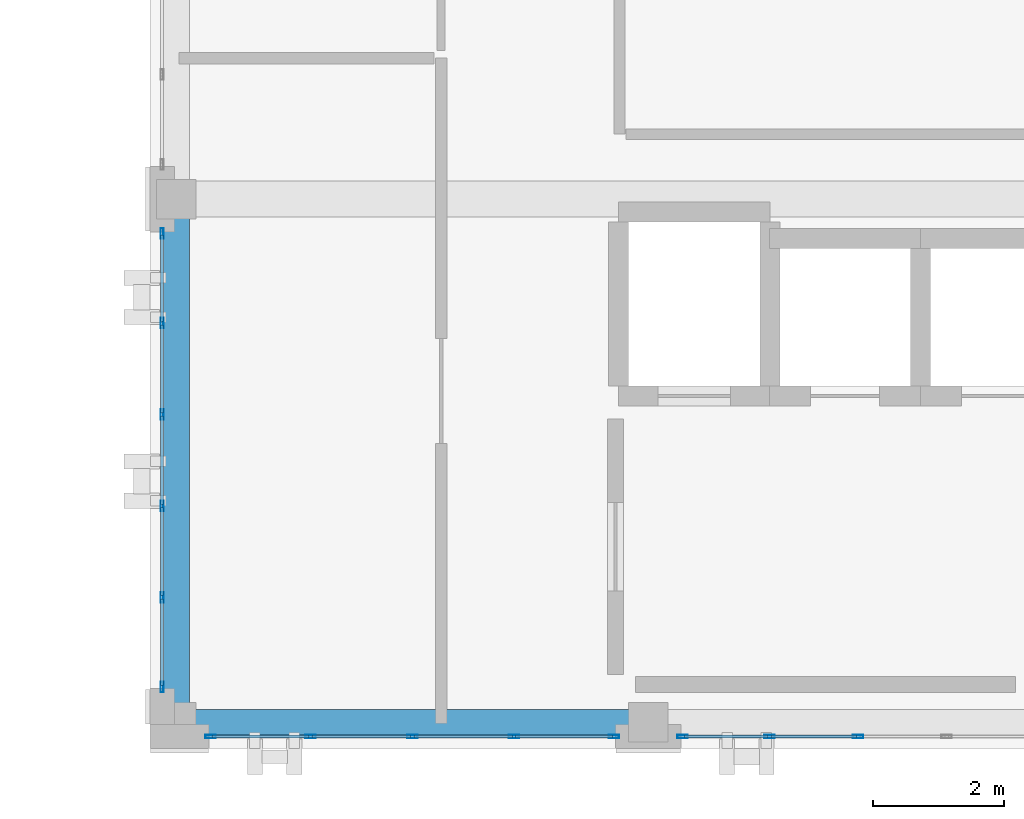
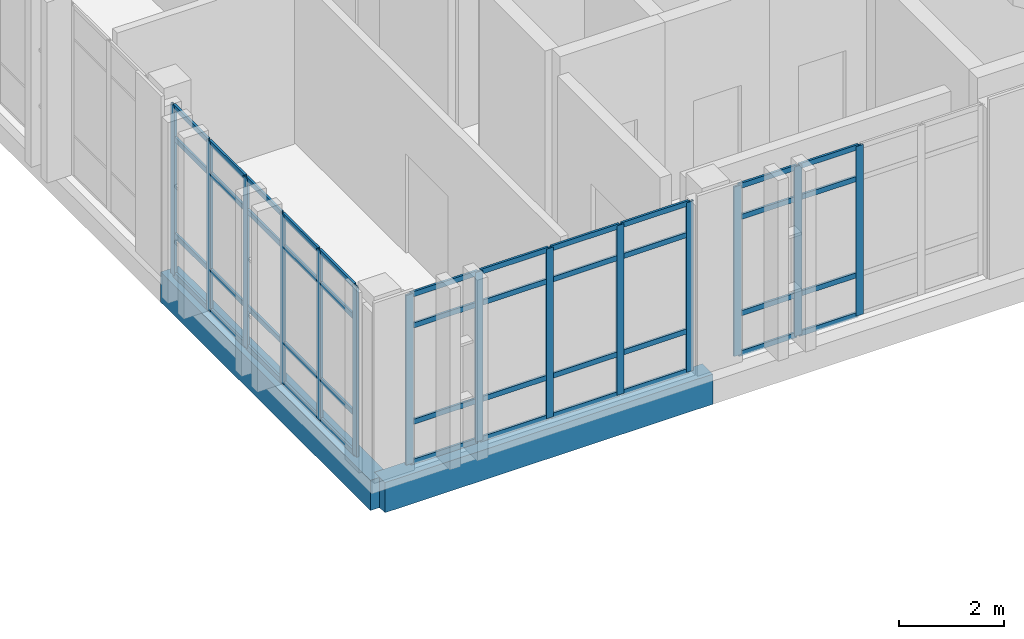
# One storey, part 27 of 77: 58 members, 2 beams, 3 elements without a shape of their own.
"""IFC4 building model written with IfcOpenShell, lengths in metres."""

import ifcopenshell
import ifcopenshell.guid

model = None  # the IFC model being written
_history = None  # IfcOwnerHistory: only IFC2X3 demands one
_inside = {}  # id of a spatial element -> (the spatial element, [elements in it])
_under = {}  # id of a project, library or spatial element -> (it, [spatial elements below it])
_declared = {}  # id of a project -> (the project, [libraries it declares])
_typed = {}  # id of a type object -> (the type object, [elements of that type])
_made_of = {}  # id of a material, layer set ... -> (it, [elements and type objects made of it])


def new_model(schema):
    """Start an empty IFC model of exactly this schema.

    Asked for "IFC4X3", IfcOpenShell would pick the latest addendum, in which some entities
    have other attributes; the version numbers below select the first issue.
    IFC2X3 requires an IfcOwnerHistory on every rooted entity: one is made here for all.
    """
    global model, _history
    if schema == "IFC4X3":
        model = ifcopenshell.file(schema_version=(4, 3, 0, 0))
    else:
        model = ifcopenshell.file(schema=schema)
    _inside.clear()
    _under.clear()
    _declared.clear()
    _typed.clear()
    _made_of.clear()
    _history = None
    if model.schema == "IFC2X3":
        org = make("IfcOrganization", Name="unknown")
        user = make(
            "IfcPersonAndOrganization",
            ThePerson=make("IfcPerson", FamilyName="unknown"),
            TheOrganization=org,
        )
        app = make(
            "IfcApplication",
            ApplicationDeveloper=org,
            Version="unknown",
            ApplicationFullName="unknown",
            ApplicationIdentifier="unknown",
        )
        _history = make(
            "IfcOwnerHistory",
            OwningUser=user,
            OwningApplication=app,
            ChangeAction="ADDED",
            CreationDate=0,
        )
    return model


def make(cls, **values):
    """One entity of the class cls with the attributes given. An attribute that is None is left unset."""
    return model.create_entity(
        cls, **{name: value for name, value in values.items() if value is not None}
    )


def rooted(cls, **values):
    """An entity with a GlobalId (a new one), such as an element, a storey or a relation."""
    return make(cls, GlobalId=ifcopenshell.guid.new(), OwnerHistory=_history, **values)


def si_unit(unit_type, name, prefix=None):
    """IfcSIUnit, for example si_unit("LENGTHUNIT", "METRE", prefix="MILLI")."""
    return make("IfcSIUnit", UnitType=unit_type, Prefix=prefix, Name=name)


def assignment(units):
    """IfcUnitAssignment: the units of a project."""
    return None if units is None else make("IfcUnitAssignment", Units=units)


def point(xyz):
    """IfcCartesianPoint."""
    return None if xyz is None else make("IfcCartesianPoint", Coordinates=xyz)


def direction(xyz):
    """IfcDirection."""
    return None if xyz is None else make("IfcDirection", DirectionRatios=xyz)


def frame(location, z_axis=None, x_axis=None):
    """IfcAxis2Placement3D, a coordinate frame: its origin and axes. An axis left out is left unset."""
    return make(
        "IfcAxis2Placement3D",
        Location=point(location),
        Axis=direction(z_axis),
        RefDirection=direction(x_axis),
    )


def frame_2d(location, x_axis=None):
    """IfcAxis2Placement2D, a coordinate frame in the plane: its origin and x axis."""
    return make(
        "IfcAxis2Placement2D", Location=point(location), RefDirection=direction(x_axis)
    )


def origin():
    """The frame at (0, 0, 0) with its axes left unset."""
    return frame((0.0, 0.0, 0.0))


def origin_2d():
    """The frame at (0, 0) in the plane with its x axis left unset."""
    return frame_2d((0.0, 0.0))


def place(relative_to, where):
    """IfcLocalPlacement: puts the frame where relative to a parent placement (None: the world)."""
    return make(
        "IfcLocalPlacement", PlacementRelTo=relative_to, RelativePlacement=where
    )


def context(
    kind, dimensions, precision=None, world=None, true_north=None, identifier=None
):
    """IfcGeometricRepresentationContext, for example the 3D "Model" context."""
    return make(
        "IfcGeometricRepresentationContext",
        ContextIdentifier=identifier,
        ContextType=kind,
        CoordinateSpaceDimension=dimensions,
        Precision=precision,
        WorldCoordinateSystem=world,
        TrueNorth=true_north,
    )


def subcontext(parent, identifier, kind, view, scale=None):
    """IfcGeometricRepresentationSubContext, for example "Body" below "Model"."""
    return make(
        "IfcGeometricRepresentationSubContext",
        ContextIdentifier=identifier,
        ContextType=kind,
        ParentContext=parent,
        TargetScale=scale,
        TargetView=view,
    )


def project(units=None, contexts=None):
    """IfcProject with its units and contexts."""
    return rooted(
        "IfcProject",
        Name="project",
        RepresentationContexts=contexts,
        UnitsInContext=assignment(units),
    )


def spatial(cls, under=None, at=None, **own):
    """A site, building, storey or space (cls), placed at a placement, below another one or the project."""
    s = rooted(cls, ObjectPlacement=at, **own)
    if under is not None:
        _under.setdefault(under.id(), (under, []))[1].append(s)
    return s


def profile(cls, at=None, kind="AREA", **sizes):
    """A parametric profile (cls). Its sizes go by their IFC names, for example OverallWidth=200.0."""
    return make(cls, ProfileType=kind, Position=at, **sizes)


def rectangle(**sizes):
    """IfcRectangleProfileDef."""
    return profile("IfcRectangleProfileDef", **sizes)


def hollow_rectangle(**sizes):
    """IfcRectangleHollowProfileDef."""
    return profile("IfcRectangleHollowProfileDef", **sizes)


def extrude(swept, where, along, depth):
    """IfcExtrudedAreaSolid: the profile swept, set in the frame where, extruded along a direction by depth."""
    return make(
        "IfcExtrudedAreaSolid",
        SweptArea=swept,
        Position=where,
        ExtrudedDirection=direction(along),
        Depth=depth,
    )


def shape(context_of_items, identifier, shape_type, items):
    """IfcShapeRepresentation: the items that make up one representation, for example the "Body"."""
    return make(
        "IfcShapeRepresentation",
        ContextOfItems=context_of_items,
        RepresentationIdentifier=identifier,
        RepresentationType=shape_type,
        Items=items,
    )


def material(Name=None, Category=None):
    """IfcMaterial."""
    return make("IfcMaterial", Name=Name, Category=Category)


def layer(
    of_material, thickness, ventilated=None, Name=None, Category=None, Priority=None
):
    """IfcMaterialLayer: one layer of a wall or slab, of a material (None: an air gap)."""
    return make(
        "IfcMaterialLayer",
        Material=of_material,
        LayerThickness=thickness,
        IsVentilated=ventilated,
        Name=Name,
        Category=Category,
        Priority=Priority,
    )


def layer_set(layers, Name=None):
    """IfcMaterialLayerSet."""
    return make("IfcMaterialLayerSet", MaterialLayers=layers, LayerSetName=Name)


def material_profile(
    of_material, cross_section, Name=None, Category=None, Priority=None
):
    """IfcMaterialProfile: a cross section and its material."""
    return make(
        "IfcMaterialProfile",
        Name=Name,
        Material=of_material,
        Profile=cross_section,
        Priority=Priority,
        Category=Category,
    )


def profile_set(profiles, Name=None, composite=None):
    """IfcMaterialProfileSet."""
    return make(
        "IfcMaterialProfileSet",
        Name=Name,
        MaterialProfiles=profiles,
        CompositeProfile=composite,
    )


def made_of(thing, what):
    """Note that an element or type object is made of a material, layer set ...; save() writes the relation."""
    if what is not None:
        _made_of.setdefault(what.id(), (what, []))[1].append(thing)
    return thing


def type_object(cls, material=None, **own):
    """A type object (cls), such as IfcWallType, which elements share."""
    return made_of(rooted(cls, **own), material)


def element(
    cls,
    number,
    at=None,
    inside=None,
    cuts=None,
    type_object=None,
    material=None,
    context=None,
    identifier="Body",
    shape_type=None,
    held_by="IfcProductDefinitionShape",
    body=None,
    shapes=None,
    **own,
):
    """One element of the class cls, such as IfcWall. Its Tag is "e" and its number.

    at: its placement. inside: the storey or other place that contains it. cuts: it is an
    opening in that element (IfcRelVoidsElement). A single representation is given by context,
    identifier, shape_type and body (its items); several are given by shapes. held_by: the class
    of the entity that holds the representations. save() writes the other relations.
    """
    e = rooted(cls, Tag="e%d" % number, ObjectPlacement=at, **own)
    if body is not None:
        shapes = [shape(context, identifier, shape_type, body)]
    if shapes is not None:
        e.Representation = make(held_by, Representations=shapes)
    if inside is not None:
        _inside.setdefault(inside.id(), (inside, []))[1].append(e)
    if cuts is not None:
        rooted(
            "IfcRelVoidsElement", RelatingBuildingElement=cuts, RelatedOpeningElement=e
        )
    if type_object is not None:
        _typed.setdefault(type_object.id(), (type_object, []))[1].append(e)
    return made_of(e, material)


def aggregate(whole, parts):
    """IfcRelAggregates: a whole, such as a stair, and the parts it consists of."""
    return rooted("IfcRelAggregates", RelatingObject=whole, RelatedObjects=parts)


def save(model, path):
    """Write the relations noted so far, then the file.

    IfcRelAggregates (storeys below a building ...), IfcRelContainedInSpatialStructure (elements
    in a storey), IfcRelDefinesByType, IfcRelAssociatesMaterial and IfcRelDeclares: one each for
    every whole, place, type object, material and project.
    """
    for whole, parts in _under.values():
        aggregate(whole, parts)
    for where, things in _inside.values():
        rooted(
            "IfcRelContainedInSpatialStructure",
            RelatedElements=things,
            RelatingStructure=where,
        )
    for kind, things in _typed.values():
        rooted("IfcRelDefinesByType", RelatedObjects=things, RelatingType=kind)
    for what, things in _made_of.values():
        rooted("IfcRelAssociatesMaterial", RelatedObjects=things, RelatingMaterial=what)
    for by, libraries in _declared.values():
        rooted("IfcRelDeclares", RelatingContext=by, RelatedDefinitions=libraries)
    model.write(path)


model = new_model("IFC4")

# Units and contexts
model_context = context("Model", 3, precision=1e-05, world=origin(), true_north=direction((0.0, 1.0)))
body_context = subcontext(model_context, "Body", "Model", "MODEL_VIEW")
ifc_project = project(units=[si_unit("LENGTHUNIT", "METRE"), si_unit("AREAUNIT", "SQUARE_METRE"), si_unit("VOLUMEUNIT", "CUBIC_METRE"), si_unit("PLANEANGLEUNIT", "RADIAN"), si_unit("MASSUNIT", "GRAM", prefix="KILO")], contexts=[model_context])

# Site, building, storey
site_placement = place(None, origin())
site = spatial("IfcSite", under=ifc_project, at=site_placement, CompositionType="ELEMENT")
building_placement = place(site_placement, origin())
building = spatial("IfcBuilding", under=site, at=building_placement, Name="Qalavern Law Courts", CompositionType="ELEMENT")
storey_placement = place(building_placement, frame((0.0, 0.0, 27.0)))
storey = spatial("IfcBuildingStorey", under=building, at=storey_placement, Name="L06", CompositionType="ELEMENT", Elevation=27.0)

# Curtain wall, members
ifc_material_1 = material(Name="Anodised aluminium and insulated glazing", Category="aluminium")
ifc_layer = layer(ifc_material_1, 0.159912109375)
ifc_layer_set = layer_set([ifc_layer], Name="Anodised aluminium and insulated glazing")
curtain_wall_type = type_object("IfcCurtainWallType", Name="ENV-CW-CHAMB", PredefinedType="USERDEFINED", material=ifc_layer_set)
curtain_wall_1_placement = place(storey_placement, origin())
curtain_wall_1 = element("IfcCurtainWall", 1, at=curtain_wall_1_placement, inside=storey, type_object=curtain_wall_type, Name="V4 unitised curtain wall L06 south 1", ObjectType="UNITISED CURTAIN WALL", PredefinedType="USERDEFINED")
ifc_material_2 = material(Name="Anodised aluminium", Category="aluminium")
ifc_material_profile_1 = material_profile(ifc_material_2, hollow_rectangle(XDim=0.048095703125, YDim=0.159912109375, WallThickness=0.00390625, at=origin_2d()), Name="ALU MULLION 48x160")
ifc_profile_set_1 = profile_set([ifc_material_profile_1], Name="Anodised aluminium")
member_type_1 = type_object("IfcMemberType", Name="ENV-CWM-48x160", PredefinedType="MULLION", material=ifc_profile_set_1)
member_1_placement = place(storey_placement, frame((85.1240234375, 41.205078125, 0.0), z_axis=(0.0, 0.0, 1.0), x_axis=(0.0, 1.0, 0.0)))
member_1 = element("IfcMember", 2, at=member_1_placement, type_object=member_type_1, Name="CW-04 mullion 1", PredefinedType="MULLION", context=body_context, shape_type="SweptSolid", body=[
    extrude(hollow_rectangle(XDim=0.048095703125, YDim=0.159912109375, WallThickness=0.00390625, at=origin_2d()), origin(), (0.0, 0.0, 1.0), 3.93505859375),
])
member_2_placement = place(storey_placement, frame((86.64990234375, 41.205078125, 0.0), z_axis=(0.0, 0.0, 1.0), x_axis=(0.0, 1.0, 0.0)))
member_2 = element("IfcMember", 3, at=member_2_placement, type_object=member_type_1, Name="CW-04 mullion 2", PredefinedType="MULLION", context=body_context, shape_type="SweptSolid", body=[
    extrude(hollow_rectangle(XDim=0.048095703125, YDim=0.159912109375, WallThickness=0.00390625, at=origin_2d()), origin(), (0.0, 0.0, 1.0), 3.93505859375),
])
member_3_placement = place(storey_placement, frame((88.199951171875, 41.205078125, 0.0), z_axis=(0.0, 0.0, 1.0), x_axis=(0.0, 1.0, 0.0)))
member_3 = element("IfcMember", 4, at=member_3_placement, type_object=member_type_1, Name="CW-04 mullion 3", PredefinedType="MULLION", context=body_context, shape_type="SweptSolid", body=[
    extrude(hollow_rectangle(XDim=0.048095703125, YDim=0.159912109375, WallThickness=0.00390625, at=origin_2d()), origin(), (0.0, 0.0, 1.0), 3.93505859375),
])
member_4_placement = place(storey_placement, frame((89.75, 41.205078125, 0.0), z_axis=(0.0, 0.0, 1.0), x_axis=(0.0, 1.0, 0.0)))
member_4 = element("IfcMember", 5, at=member_4_placement, type_object=member_type_1, Name="CW-04 mullion 4", PredefinedType="MULLION", context=body_context, shape_type="SweptSolid", body=[
    extrude(hollow_rectangle(XDim=0.048095703125, YDim=0.159912109375, WallThickness=0.00390625, at=origin_2d()), origin(), (0.0, 0.0, 1.0), 3.93505859375),
])
member_5_placement = place(storey_placement, frame((91.27587890625, 41.205078125, 0.0), z_axis=(0.0, 0.0, 1.0), x_axis=(0.0, 1.0, 0.0)))
member_5 = element("IfcMember", 6, at=member_5_placement, type_object=member_type_1, Name="CW-04 mullion 5", PredefinedType="MULLION", context=body_context, shape_type="SweptSolid", body=[
    extrude(hollow_rectangle(XDim=0.048095703125, YDim=0.159912109375, WallThickness=0.00390625, at=origin_2d()), origin(), (0.0, 0.0, 1.0), 3.93505859375),
])

curtain_wall_2_placement = place(storey_placement, origin())
curtain_wall_2 = element("IfcCurtainWall", 7, at=curtain_wall_2_placement, inside=storey, type_object=curtain_wall_type, Name="V4 unitised curtain wall L06 south 2", ObjectType="UNITISED CURTAIN WALL", PredefinedType="USERDEFINED")
member_6_placement = place(storey_placement, frame((92.323974609375, 41.205078125, 0.0), z_axis=(0.0, 0.0, 1.0), x_axis=(0.0, 1.0, 0.0)))
member_6 = element("IfcMember", 8, at=member_6_placement, type_object=member_type_1, Name="CW-04 mullion 1", PredefinedType="MULLION", context=body_context, shape_type="SweptSolid", body=[
    extrude(hollow_rectangle(XDim=0.048095703125, YDim=0.159912109375, WallThickness=0.00390625, at=origin_2d()), origin(), (0.0, 0.0, 1.0), 3.93505859375),
])
member_7_placement = place(storey_placement, frame((93.64990234375, 41.205078125, 0.0), z_axis=(0.0, 0.0, 1.0), x_axis=(0.0, 1.0, 0.0)))
member_7 = element("IfcMember", 9, at=member_7_placement, type_object=member_type_1, Name="CW-04 mullion 2", PredefinedType="MULLION", context=body_context, shape_type="SweptSolid", body=[
    extrude(hollow_rectangle(XDim=0.048095703125, YDim=0.159912109375, WallThickness=0.00390625, at=origin_2d()), origin(), (0.0, 0.0, 1.0), 3.93505859375),
])
member_8_placement = place(storey_placement, frame((95.0, 41.205078125, 0.0), z_axis=(0.0, 0.0, 1.0), x_axis=(0.0, 1.0, 0.0)))
member_8 = element("IfcMember", 10, at=member_8_placement, type_object=member_type_1, Name="CW-04 mullion 3", PredefinedType="MULLION", context=body_context, shape_type="SweptSolid", body=[
    extrude(hollow_rectangle(XDim=0.048095703125, YDim=0.159912109375, WallThickness=0.00390625, at=origin_2d()), origin(), (0.0, 0.0, 1.0), 3.93505859375),
])

curtain_wall_3_placement = place(storey_placement, origin())
curtain_wall_3 = element("IfcCurtainWall", 11, at=curtain_wall_3_placement, inside=storey, type_object=curtain_wall_type, Name="V4 unitised curtain wall L06 west 6", ObjectType="UNITISED CURTAIN WALL", PredefinedType="USERDEFINED")
member_9_placement = place(storey_placement, frame((84.385009765625, 48.8759765625, 0.0), z_axis=(0.0, 0.0, 1.0), x_axis=(1.0, 0.0, 0.0)))
member_9 = element("IfcMember", 12, at=member_9_placement, type_object=member_type_1, Name="CW-04 mullion 1", PredefinedType="MULLION", context=body_context, shape_type="SweptSolid", body=[
    extrude(hollow_rectangle(XDim=0.048095703125, YDim=0.159912109375, WallThickness=0.00390625, at=origin_2d()), origin(), (0.0, 0.0, 1.0), 3.93505859375),
])
member_10_placement = place(storey_placement, frame((84.385009765625, 47.507080078125, 0.0), z_axis=(0.0, 0.0, 1.0), x_axis=(1.0, 0.0, 0.0)))
member_10 = element("IfcMember", 13, at=member_10_placement, type_object=member_type_1, Name="CW-04 mullion 2", PredefinedType="MULLION", context=body_context, shape_type="SweptSolid", body=[
    extrude(hollow_rectangle(XDim=0.048095703125, YDim=0.159912109375, WallThickness=0.00390625, at=origin_2d()), origin(), (0.0, 0.0, 1.0), 3.93505859375),
])
member_11_placement = place(storey_placement, frame((84.385009765625, 46.114013671875, 0.0), z_axis=(0.0, 0.0, 1.0), x_axis=(1.0, 0.0, 0.0)))
member_11 = element("IfcMember", 14, at=member_11_placement, type_object=member_type_1, Name="CW-04 mullion 3", PredefinedType="MULLION", context=body_context, shape_type="SweptSolid", body=[
    extrude(hollow_rectangle(XDim=0.048095703125, YDim=0.159912109375, WallThickness=0.00390625, at=origin_2d()), origin(), (0.0, 0.0, 1.0), 3.93505859375),
])
member_12_placement = place(storey_placement, frame((84.385009765625, 44.720947265625, 0.0), z_axis=(0.0, 0.0, 1.0), x_axis=(1.0, 0.0, 0.0)))
member_12 = element("IfcMember", 15, at=member_12_placement, type_object=member_type_1, Name="CW-04 mullion 4", PredefinedType="MULLION", context=body_context, shape_type="SweptSolid", body=[
    extrude(hollow_rectangle(XDim=0.048095703125, YDim=0.159912109375, WallThickness=0.00390625, at=origin_2d()), origin(), (0.0, 0.0, 1.0), 3.93505859375),
])
member_13_placement = place(storey_placement, frame((84.385009765625, 43.327880859375, 0.0), z_axis=(0.0, 0.0, 1.0), x_axis=(1.0, 0.0, 0.0)))
member_13 = element("IfcMember", 16, at=member_13_placement, type_object=member_type_1, Name="CW-04 mullion 5", PredefinedType="MULLION", context=body_context, shape_type="SweptSolid", body=[
    extrude(hollow_rectangle(XDim=0.048095703125, YDim=0.159912109375, WallThickness=0.00390625, at=origin_2d()), origin(), (0.0, 0.0, 1.0), 3.93505859375),
])
member_14_placement = place(storey_placement, frame((84.385009765625, 41.958984375, 0.0), z_axis=(0.0, 0.0, 1.0), x_axis=(1.0, 0.0, 0.0)))
member_14 = element("IfcMember", 17, at=member_14_placement, type_object=member_type_1, Name="CW-04 mullion 6", PredefinedType="MULLION", context=body_context, shape_type="SweptSolid", body=[
    extrude(hollow_rectangle(XDim=0.048095703125, YDim=0.159912109375, WallThickness=0.00390625, at=origin_2d()), origin(), (0.0, 0.0, 1.0), 3.93505859375),
])

# Member
ifc_material_profile_2 = material_profile(ifc_material_2, hollow_rectangle(XDim=0.048095703125, YDim=0.1201171875, WallThickness=0.00390625, at=origin_2d()), Name="ALU TRANSOM 48x120")
ifc_profile_set_2 = profile_set([ifc_material_profile_2], Name="Anodised aluminium")
member_type_2 = type_object("IfcMemberType", Name="ENV-CWT-48x120", PredefinedType="USERDEFINED", material=ifc_profile_set_2)
member_15_placement = place(storey_placement, frame((85.14794921875, 41.205078125, 0.02392578125), z_axis=(1.0, 0.0, 0.0), x_axis=(0.0, 1.0, 0.0)))
member_15 = element("IfcMember", 18, at=member_15_placement, type_object=member_type_2, Name="CW-04 transom 1.1", ObjectType="TRANSOM", PredefinedType="USERDEFINED", context=body_context, shape_type="SweptSolid", body=[
    extrude(hollow_rectangle(XDim=0.048095703125, YDim=0.1201171875, WallThickness=0.00390625, at=origin_2d()), origin(), (0.0, 0.0, 1.0), 1.47802734375),
])

member_16_placement = place(storey_placement, frame((85.14794921875, 41.205078125, 0.949951171875), z_axis=(1.0, 0.0, 0.0), x_axis=(0.0, 1.0, 0.0)))
member_16 = element("IfcMember", 19, at=member_16_placement, type_object=member_type_2, Name="CW-04 transom 1.2", ObjectType="TRANSOM", PredefinedType="USERDEFINED", context=body_context, shape_type="SweptSolid", body=[
    extrude(hollow_rectangle(XDim=0.048095703125, YDim=0.1201171875, WallThickness=0.00390625, at=origin_2d()), origin(), (0.0, 0.0, 1.0), 1.47802734375),
])

member_17_placement = place(storey_placement, frame((85.14794921875, 41.205078125, 3.18505859375), z_axis=(1.0, 0.0, 0.0), x_axis=(0.0, 1.0, 0.0)))
member_17 = element("IfcMember", 20, at=member_17_placement, type_object=member_type_2, Name="CW-04 transom 1.3", ObjectType="TRANSOM", PredefinedType="USERDEFINED", context=body_context, shape_type="SweptSolid", body=[
    extrude(hollow_rectangle(XDim=0.048095703125, YDim=0.1201171875, WallThickness=0.00390625, at=origin_2d()), origin(), (0.0, 0.0, 1.0), 1.47802734375),
])

member_18_placement = place(storey_placement, frame((85.14794921875, 41.205078125, 3.910888671875), z_axis=(1.0, 0.0, 0.0), x_axis=(0.0, 1.0, 0.0)))
member_18 = element("IfcMember", 21, at=member_18_placement, type_object=member_type_2, Name="CW-04 transom 1.4", ObjectType="TRANSOM", PredefinedType="USERDEFINED", context=body_context, shape_type="SweptSolid", body=[
    extrude(hollow_rectangle(XDim=0.048095703125, YDim=0.1201171875, WallThickness=0.00390625, at=origin_2d()), origin(), (0.0, 0.0, 1.0), 1.47802734375),
])

member_19_placement = place(storey_placement, frame((86.674072265625, 41.205078125, 0.02392578125), z_axis=(1.0, 0.0, 0.0), x_axis=(0.0, 1.0, 0.0)))
member_19 = element("IfcMember", 22, at=member_19_placement, type_object=member_type_2, Name="CW-04 transom 2.1", ObjectType="TRANSOM", PredefinedType="USERDEFINED", context=body_context, shape_type="SweptSolid", body=[
    extrude(hollow_rectangle(XDim=0.048095703125, YDim=0.1201171875, WallThickness=0.00390625, at=origin_2d()), origin(), (0.0, 0.0, 1.0), 1.501953125),
])

member_20_placement = place(storey_placement, frame((86.674072265625, 41.205078125, 0.949951171875), z_axis=(1.0, 0.0, 0.0), x_axis=(0.0, 1.0, 0.0)))
member_20 = element("IfcMember", 23, at=member_20_placement, type_object=member_type_2, Name="CW-04 transom 2.2", ObjectType="TRANSOM", PredefinedType="USERDEFINED", context=body_context, shape_type="SweptSolid", body=[
    extrude(hollow_rectangle(XDim=0.048095703125, YDim=0.1201171875, WallThickness=0.00390625, at=origin_2d()), origin(), (0.0, 0.0, 1.0), 1.501953125),
])

member_21_placement = place(storey_placement, frame((86.674072265625, 41.205078125, 3.18505859375), z_axis=(1.0, 0.0, 0.0), x_axis=(0.0, 1.0, 0.0)))
member_21 = element("IfcMember", 24, at=member_21_placement, type_object=member_type_2, Name="CW-04 transom 2.3", ObjectType="TRANSOM", PredefinedType="USERDEFINED", context=body_context, shape_type="SweptSolid", body=[
    extrude(hollow_rectangle(XDim=0.048095703125, YDim=0.1201171875, WallThickness=0.00390625, at=origin_2d()), origin(), (0.0, 0.0, 1.0), 1.501953125),
])

member_22_placement = place(storey_placement, frame((86.674072265625, 41.205078125, 3.910888671875), z_axis=(1.0, 0.0, 0.0), x_axis=(0.0, 1.0, 0.0)))
member_22 = element("IfcMember", 25, at=member_22_placement, type_object=member_type_2, Name="CW-04 transom 2.4", ObjectType="TRANSOM", PredefinedType="USERDEFINED", context=body_context, shape_type="SweptSolid", body=[
    extrude(hollow_rectangle(XDim=0.048095703125, YDim=0.1201171875, WallThickness=0.00390625, at=origin_2d()), origin(), (0.0, 0.0, 1.0), 1.501953125),
])

member_23_placement = place(storey_placement, frame((88.22412109375, 41.205078125, 0.02392578125), z_axis=(1.0, 0.0, 0.0), x_axis=(0.0, 1.0, 0.0)))
member_23 = element("IfcMember", 26, at=member_23_placement, type_object=member_type_2, Name="CW-04 transom 3.1", ObjectType="TRANSOM", PredefinedType="USERDEFINED", context=body_context, shape_type="SweptSolid", body=[
    extrude(hollow_rectangle(XDim=0.048095703125, YDim=0.1201171875, WallThickness=0.00390625, at=origin_2d()), origin(), (0.0, 0.0, 1.0), 1.501953125),
])

member_24_placement = place(storey_placement, frame((88.22412109375, 41.205078125, 0.949951171875), z_axis=(1.0, 0.0, 0.0), x_axis=(0.0, 1.0, 0.0)))
member_24 = element("IfcMember", 27, at=member_24_placement, type_object=member_type_2, Name="CW-04 transom 3.2", ObjectType="TRANSOM", PredefinedType="USERDEFINED", context=body_context, shape_type="SweptSolid", body=[
    extrude(hollow_rectangle(XDim=0.048095703125, YDim=0.1201171875, WallThickness=0.00390625, at=origin_2d()), origin(), (0.0, 0.0, 1.0), 1.501953125),
])

member_25_placement = place(storey_placement, frame((88.22412109375, 41.205078125, 3.18505859375), z_axis=(1.0, 0.0, 0.0), x_axis=(0.0, 1.0, 0.0)))
member_25 = element("IfcMember", 28, at=member_25_placement, type_object=member_type_2, Name="CW-04 transom 3.3", ObjectType="TRANSOM", PredefinedType="USERDEFINED", context=body_context, shape_type="SweptSolid", body=[
    extrude(hollow_rectangle(XDim=0.048095703125, YDim=0.1201171875, WallThickness=0.00390625, at=origin_2d()), origin(), (0.0, 0.0, 1.0), 1.501953125),
])

member_26_placement = place(storey_placement, frame((88.22412109375, 41.205078125, 3.910888671875), z_axis=(1.0, 0.0, 0.0), x_axis=(0.0, 1.0, 0.0)))
member_26 = element("IfcMember", 29, at=member_26_placement, type_object=member_type_2, Name="CW-04 transom 3.4", ObjectType="TRANSOM", PredefinedType="USERDEFINED", context=body_context, shape_type="SweptSolid", body=[
    extrude(hollow_rectangle(XDim=0.048095703125, YDim=0.1201171875, WallThickness=0.00390625, at=origin_2d()), origin(), (0.0, 0.0, 1.0), 1.501953125),
])

member_27_placement = place(storey_placement, frame((89.77392578125, 41.205078125, 0.02392578125), z_axis=(1.0, 0.0, 0.0), x_axis=(0.0, 1.0, 0.0)))
member_27 = element("IfcMember", 30, at=member_27_placement, type_object=member_type_2, Name="CW-04 transom 4.1", ObjectType="TRANSOM", PredefinedType="USERDEFINED", context=body_context, shape_type="SweptSolid", body=[
    extrude(hollow_rectangle(XDim=0.048095703125, YDim=0.1201171875, WallThickness=0.00390625, at=origin_2d()), origin(), (0.0, 0.0, 1.0), 1.47802734375),
])

member_28_placement = place(storey_placement, frame((89.77392578125, 41.205078125, 0.949951171875), z_axis=(1.0, 0.0, 0.0), x_axis=(0.0, 1.0, 0.0)))
member_28 = element("IfcMember", 31, at=member_28_placement, type_object=member_type_2, Name="CW-04 transom 4.2", ObjectType="TRANSOM", PredefinedType="USERDEFINED", context=body_context, shape_type="SweptSolid", body=[
    extrude(hollow_rectangle(XDim=0.048095703125, YDim=0.1201171875, WallThickness=0.00390625, at=origin_2d()), origin(), (0.0, 0.0, 1.0), 1.47802734375),
])

member_29_placement = place(storey_placement, frame((89.77392578125, 41.205078125, 3.18505859375), z_axis=(1.0, 0.0, 0.0), x_axis=(0.0, 1.0, 0.0)))
member_29 = element("IfcMember", 32, at=member_29_placement, type_object=member_type_2, Name="CW-04 transom 4.3", ObjectType="TRANSOM", PredefinedType="USERDEFINED", context=body_context, shape_type="SweptSolid", body=[
    extrude(hollow_rectangle(XDim=0.048095703125, YDim=0.1201171875, WallThickness=0.00390625, at=origin_2d()), origin(), (0.0, 0.0, 1.0), 1.47802734375),
])

member_30_placement = place(storey_placement, frame((89.77392578125, 41.205078125, 3.910888671875), z_axis=(1.0, 0.0, 0.0), x_axis=(0.0, 1.0, 0.0)))
member_30 = element("IfcMember", 33, at=member_30_placement, type_object=member_type_2, Name="CW-04 transom 4.4", ObjectType="TRANSOM", PredefinedType="USERDEFINED", context=body_context, shape_type="SweptSolid", body=[
    extrude(hollow_rectangle(XDim=0.048095703125, YDim=0.1201171875, WallThickness=0.00390625, at=origin_2d()), origin(), (0.0, 0.0, 1.0), 1.47802734375),
])

aggregate(curtain_wall_1, [member_1, member_2, member_3, member_4, member_5, member_15, member_16, member_17, member_18, member_19, member_20, member_21, member_22, member_23, member_24, member_25, member_26, member_27, member_28, member_29, member_30])

member_31_placement = place(storey_placement, frame((92.347900390625, 41.205078125, 0.02392578125), z_axis=(1.0, 0.0, 0.0), x_axis=(0.0, 1.0, 0.0)))
member_31 = element("IfcMember", 34, at=member_31_placement, type_object=member_type_2, Name="CW-04 transom 1.1", ObjectType="TRANSOM", PredefinedType="USERDEFINED", context=body_context, shape_type="SweptSolid", body=[
    extrude(hollow_rectangle(XDim=0.048095703125, YDim=0.1201171875, WallThickness=0.00390625, at=origin_2d()), origin(), (0.0, 0.0, 1.0), 1.278076171875),
])

member_32_placement = place(storey_placement, frame((92.347900390625, 41.205078125, 0.949951171875), z_axis=(1.0, 0.0, 0.0), x_axis=(0.0, 1.0, 0.0)))
member_32 = element("IfcMember", 35, at=member_32_placement, type_object=member_type_2, Name="CW-04 transom 1.2", ObjectType="TRANSOM", PredefinedType="USERDEFINED", context=body_context, shape_type="SweptSolid", body=[
    extrude(hollow_rectangle(XDim=0.048095703125, YDim=0.1201171875, WallThickness=0.00390625, at=origin_2d()), origin(), (0.0, 0.0, 1.0), 1.278076171875),
])

member_33_placement = place(storey_placement, frame((92.347900390625, 41.205078125, 3.18505859375), z_axis=(1.0, 0.0, 0.0), x_axis=(0.0, 1.0, 0.0)))
member_33 = element("IfcMember", 36, at=member_33_placement, type_object=member_type_2, Name="CW-04 transom 1.3", ObjectType="TRANSOM", PredefinedType="USERDEFINED", context=body_context, shape_type="SweptSolid", body=[
    extrude(hollow_rectangle(XDim=0.048095703125, YDim=0.1201171875, WallThickness=0.00390625, at=origin_2d()), origin(), (0.0, 0.0, 1.0), 1.278076171875),
])

member_34_placement = place(storey_placement, frame((92.347900390625, 41.205078125, 3.910888671875), z_axis=(1.0, 0.0, 0.0), x_axis=(0.0, 1.0, 0.0)))
member_34 = element("IfcMember", 37, at=member_34_placement, type_object=member_type_2, Name="CW-04 transom 1.4", ObjectType="TRANSOM", PredefinedType="USERDEFINED", context=body_context, shape_type="SweptSolid", body=[
    extrude(hollow_rectangle(XDim=0.048095703125, YDim=0.1201171875, WallThickness=0.00390625, at=origin_2d()), origin(), (0.0, 0.0, 1.0), 1.278076171875),
])

member_35_placement = place(storey_placement, frame((93.674072265625, 41.205078125, 0.02392578125), z_axis=(1.0, 0.0, 0.0), x_axis=(0.0, 1.0, 0.0)))
member_35 = element("IfcMember", 38, at=member_35_placement, type_object=member_type_2, Name="CW-04 transom 2.1", ObjectType="TRANSOM", PredefinedType="USERDEFINED", context=body_context, shape_type="SweptSolid", body=[
    extrude(hollow_rectangle(XDim=0.048095703125, YDim=0.1201171875, WallThickness=0.00390625, at=origin_2d()), origin(), (0.0, 0.0, 1.0), 1.302001953125),
])

member_36_placement = place(storey_placement, frame((93.674072265625, 41.205078125, 0.949951171875), z_axis=(1.0, 0.0, 0.0), x_axis=(0.0, 1.0, 0.0)))
member_36 = element("IfcMember", 39, at=member_36_placement, type_object=member_type_2, Name="CW-04 transom 2.2", ObjectType="TRANSOM", PredefinedType="USERDEFINED", context=body_context, shape_type="SweptSolid", body=[
    extrude(hollow_rectangle(XDim=0.048095703125, YDim=0.1201171875, WallThickness=0.00390625, at=origin_2d()), origin(), (0.0, 0.0, 1.0), 1.302001953125),
])

member_37_placement = place(storey_placement, frame((93.674072265625, 41.205078125, 3.18505859375), z_axis=(1.0, 0.0, 0.0), x_axis=(0.0, 1.0, 0.0)))
member_37 = element("IfcMember", 40, at=member_37_placement, type_object=member_type_2, Name="CW-04 transom 2.3", ObjectType="TRANSOM", PredefinedType="USERDEFINED", context=body_context, shape_type="SweptSolid", body=[
    extrude(hollow_rectangle(XDim=0.048095703125, YDim=0.1201171875, WallThickness=0.00390625, at=origin_2d()), origin(), (0.0, 0.0, 1.0), 1.302001953125),
])

member_38_placement = place(storey_placement, frame((93.674072265625, 41.205078125, 3.910888671875), z_axis=(1.0, 0.0, 0.0), x_axis=(0.0, 1.0, 0.0)))
member_38 = element("IfcMember", 41, at=member_38_placement, type_object=member_type_2, Name="CW-04 transom 2.4", ObjectType="TRANSOM", PredefinedType="USERDEFINED", context=body_context, shape_type="SweptSolid", body=[
    extrude(hollow_rectangle(XDim=0.048095703125, YDim=0.1201171875, WallThickness=0.00390625, at=origin_2d()), origin(), (0.0, 0.0, 1.0), 1.302001953125),
])

aggregate(curtain_wall_2, [member_6, member_7, member_8, member_31, member_32, member_33, member_34, member_35, member_36, member_37, member_38])

member_39_placement = place(storey_placement, frame((84.385009765625, 48.85205078125, 0.02392578125), z_axis=(0.0, -1.0, 0.0), x_axis=(1.0, 0.0, 0.0)))
member_39 = element("IfcMember", 42, at=member_39_placement, type_object=member_type_2, Name="CW-04 transom 1.1", ObjectType="TRANSOM", PredefinedType="USERDEFINED", context=body_context, shape_type="SweptSolid", body=[
    extrude(hollow_rectangle(XDim=0.048095703125, YDim=0.1201171875, WallThickness=0.00390625, at=origin_2d()), origin(), (0.0, 0.0, 1.0), 1.321044921875),
])

member_40_placement = place(storey_placement, frame((84.385009765625, 48.85205078125, 0.949951171875), z_axis=(0.0, -1.0, 0.0), x_axis=(1.0, 0.0, 0.0)))
member_40 = element("IfcMember", 43, at=member_40_placement, type_object=member_type_2, Name="CW-04 transom 1.2", ObjectType="TRANSOM", PredefinedType="USERDEFINED", context=body_context, shape_type="SweptSolid", body=[
    extrude(hollow_rectangle(XDim=0.048095703125, YDim=0.1201171875, WallThickness=0.00390625, at=origin_2d()), origin(), (0.0, 0.0, 1.0), 1.321044921875),
])

member_41_placement = place(storey_placement, frame((84.385009765625, 48.85205078125, 3.18505859375), z_axis=(0.0, -1.0, 0.0), x_axis=(1.0, 0.0, 0.0)))
member_41 = element("IfcMember", 44, at=member_41_placement, type_object=member_type_2, Name="CW-04 transom 1.3", ObjectType="TRANSOM", PredefinedType="USERDEFINED", context=body_context, shape_type="SweptSolid", body=[
    extrude(hollow_rectangle(XDim=0.048095703125, YDim=0.1201171875, WallThickness=0.00390625, at=origin_2d()), origin(), (0.0, 0.0, 1.0), 1.321044921875),
])

member_42_placement = place(storey_placement, frame((84.385009765625, 48.85205078125, 3.910888671875), z_axis=(0.0, -1.0, 0.0), x_axis=(1.0, 0.0, 0.0)))
member_42 = element("IfcMember", 45, at=member_42_placement, type_object=member_type_2, Name="CW-04 transom 1.4", ObjectType="TRANSOM", PredefinedType="USERDEFINED", context=body_context, shape_type="SweptSolid", body=[
    extrude(hollow_rectangle(XDim=0.048095703125, YDim=0.1201171875, WallThickness=0.00390625, at=origin_2d()), origin(), (0.0, 0.0, 1.0), 1.321044921875),
])

member_43_placement = place(storey_placement, frame((84.385009765625, 47.48291015625, 0.02392578125), z_axis=(0.0, -1.0, 0.0), x_axis=(1.0, 0.0, 0.0)))
member_43 = element("IfcMember", 46, at=member_43_placement, type_object=member_type_2, Name="CW-04 transom 2.1", ObjectType="TRANSOM", PredefinedType="USERDEFINED", context=body_context, shape_type="SweptSolid", body=[
    extrude(hollow_rectangle(XDim=0.048095703125, YDim=0.1201171875, WallThickness=0.00390625, at=origin_2d()), origin(), (0.0, 0.0, 1.0), 1.344970703125),
])

member_44_placement = place(storey_placement, frame((84.385009765625, 47.48291015625, 0.949951171875), z_axis=(0.0, -1.0, 0.0), x_axis=(1.0, 0.0, 0.0)))
member_44 = element("IfcMember", 47, at=member_44_placement, type_object=member_type_2, Name="CW-04 transom 2.2", ObjectType="TRANSOM", PredefinedType="USERDEFINED", context=body_context, shape_type="SweptSolid", body=[
    extrude(hollow_rectangle(XDim=0.048095703125, YDim=0.1201171875, WallThickness=0.00390625, at=origin_2d()), origin(), (0.0, 0.0, 1.0), 1.344970703125),
])

member_45_placement = place(storey_placement, frame((84.385009765625, 47.48291015625, 3.18505859375), z_axis=(0.0, -1.0, 0.0), x_axis=(1.0, 0.0, 0.0)))
member_45 = element("IfcMember", 48, at=member_45_placement, type_object=member_type_2, Name="CW-04 transom 2.3", ObjectType="TRANSOM", PredefinedType="USERDEFINED", context=body_context, shape_type="SweptSolid", body=[
    extrude(hollow_rectangle(XDim=0.048095703125, YDim=0.1201171875, WallThickness=0.00390625, at=origin_2d()), origin(), (0.0, 0.0, 1.0), 1.344970703125),
])

member_46_placement = place(storey_placement, frame((84.385009765625, 47.48291015625, 3.910888671875), z_axis=(0.0, -1.0, 0.0), x_axis=(1.0, 0.0, 0.0)))
member_46 = element("IfcMember", 49, at=member_46_placement, type_object=member_type_2, Name="CW-04 transom 2.4", ObjectType="TRANSOM", PredefinedType="USERDEFINED", context=body_context, shape_type="SweptSolid", body=[
    extrude(hollow_rectangle(XDim=0.048095703125, YDim=0.1201171875, WallThickness=0.00390625, at=origin_2d()), origin(), (0.0, 0.0, 1.0), 1.344970703125),
])

member_47_placement = place(storey_placement, frame((84.385009765625, 46.090087890625, 0.02392578125), z_axis=(0.0, -1.0, 0.0), x_axis=(1.0, 0.0, 0.0)))
member_47 = element("IfcMember", 50, at=member_47_placement, type_object=member_type_2, Name="CW-04 transom 3.1", ObjectType="TRANSOM", PredefinedType="USERDEFINED", context=body_context, shape_type="SweptSolid", body=[
    extrude(hollow_rectangle(XDim=0.048095703125, YDim=0.1201171875, WallThickness=0.00390625, at=origin_2d()), origin(), (0.0, 0.0, 1.0), 1.344970703125),
])

member_48_placement = place(storey_placement, frame((84.385009765625, 46.090087890625, 0.949951171875), z_axis=(0.0, -1.0, 0.0), x_axis=(1.0, 0.0, 0.0)))
member_48 = element("IfcMember", 51, at=member_48_placement, type_object=member_type_2, Name="CW-04 transom 3.2", ObjectType="TRANSOM", PredefinedType="USERDEFINED", context=body_context, shape_type="SweptSolid", body=[
    extrude(hollow_rectangle(XDim=0.048095703125, YDim=0.1201171875, WallThickness=0.00390625, at=origin_2d()), origin(), (0.0, 0.0, 1.0), 1.344970703125),
])

member_49_placement = place(storey_placement, frame((84.385009765625, 46.090087890625, 3.18505859375), z_axis=(0.0, -1.0, 0.0), x_axis=(1.0, 0.0, 0.0)))
member_49 = element("IfcMember", 52, at=member_49_placement, type_object=member_type_2, Name="CW-04 transom 3.3", ObjectType="TRANSOM", PredefinedType="USERDEFINED", context=body_context, shape_type="SweptSolid", body=[
    extrude(hollow_rectangle(XDim=0.048095703125, YDim=0.1201171875, WallThickness=0.00390625, at=origin_2d()), origin(), (0.0, 0.0, 1.0), 1.344970703125),
])

member_50_placement = place(storey_placement, frame((84.385009765625, 46.090087890625, 3.910888671875), z_axis=(0.0, -1.0, 0.0), x_axis=(1.0, 0.0, 0.0)))
member_50 = element("IfcMember", 53, at=member_50_placement, type_object=member_type_2, Name="CW-04 transom 3.4", ObjectType="TRANSOM", PredefinedType="USERDEFINED", context=body_context, shape_type="SweptSolid", body=[
    extrude(hollow_rectangle(XDim=0.048095703125, YDim=0.1201171875, WallThickness=0.00390625, at=origin_2d()), origin(), (0.0, 0.0, 1.0), 1.344970703125),
])

member_51_placement = place(storey_placement, frame((84.385009765625, 44.697021484375, 0.02392578125), z_axis=(0.0, -1.0, 0.0), x_axis=(1.0, 0.0, 0.0)))
member_51 = element("IfcMember", 54, at=member_51_placement, type_object=member_type_2, Name="CW-04 transom 4.1", ObjectType="TRANSOM", PredefinedType="USERDEFINED", context=body_context, shape_type="SweptSolid", body=[
    extrude(hollow_rectangle(XDim=0.048095703125, YDim=0.1201171875, WallThickness=0.00390625, at=origin_2d()), origin(), (0.0, 0.0, 1.0), 1.344970703125),
])

member_52_placement = place(storey_placement, frame((84.385009765625, 44.697021484375, 0.949951171875), z_axis=(0.0, -1.0, 0.0), x_axis=(1.0, 0.0, 0.0)))
member_52 = element("IfcMember", 55, at=member_52_placement, type_object=member_type_2, Name="CW-04 transom 4.2", ObjectType="TRANSOM", PredefinedType="USERDEFINED", context=body_context, shape_type="SweptSolid", body=[
    extrude(hollow_rectangle(XDim=0.048095703125, YDim=0.1201171875, WallThickness=0.00390625, at=origin_2d()), origin(), (0.0, 0.0, 1.0), 1.344970703125),
])

member_53_placement = place(storey_placement, frame((84.385009765625, 44.697021484375, 3.18505859375), z_axis=(0.0, -1.0, 0.0), x_axis=(1.0, 0.0, 0.0)))
member_53 = element("IfcMember", 56, at=member_53_placement, type_object=member_type_2, Name="CW-04 transom 4.3", ObjectType="TRANSOM", PredefinedType="USERDEFINED", context=body_context, shape_type="SweptSolid", body=[
    extrude(hollow_rectangle(XDim=0.048095703125, YDim=0.1201171875, WallThickness=0.00390625, at=origin_2d()), origin(), (0.0, 0.0, 1.0), 1.344970703125),
])

member_54_placement = place(storey_placement, frame((84.385009765625, 44.697021484375, 3.910888671875), z_axis=(0.0, -1.0, 0.0), x_axis=(1.0, 0.0, 0.0)))
member_54 = element("IfcMember", 57, at=member_54_placement, type_object=member_type_2, Name="CW-04 transom 4.4", ObjectType="TRANSOM", PredefinedType="USERDEFINED", context=body_context, shape_type="SweptSolid", body=[
    extrude(hollow_rectangle(XDim=0.048095703125, YDim=0.1201171875, WallThickness=0.00390625, at=origin_2d()), origin(), (0.0, 0.0, 1.0), 1.344970703125),
])

member_55_placement = place(storey_placement, frame((84.385009765625, 43.303955078125, 0.02392578125), z_axis=(0.0, -1.0, 0.0), x_axis=(1.0, 0.0, 0.0)))
member_55 = element("IfcMember", 58, at=member_55_placement, type_object=member_type_2, Name="CW-04 transom 5.1", ObjectType="TRANSOM", PredefinedType="USERDEFINED", context=body_context, shape_type="SweptSolid", body=[
    extrude(hollow_rectangle(XDim=0.048095703125, YDim=0.1201171875, WallThickness=0.00390625, at=origin_2d()), origin(), (0.0, 0.0, 1.0), 1.321044921875),
])

member_56_placement = place(storey_placement, frame((84.385009765625, 43.303955078125, 0.949951171875), z_axis=(0.0, -1.0, 0.0), x_axis=(1.0, 0.0, 0.0)))
member_56 = element("IfcMember", 59, at=member_56_placement, type_object=member_type_2, Name="CW-04 transom 5.2", ObjectType="TRANSOM", PredefinedType="USERDEFINED", context=body_context, shape_type="SweptSolid", body=[
    extrude(hollow_rectangle(XDim=0.048095703125, YDim=0.1201171875, WallThickness=0.00390625, at=origin_2d()), origin(), (0.0, 0.0, 1.0), 1.321044921875),
])

member_57_placement = place(storey_placement, frame((84.385009765625, 43.303955078125, 3.18505859375), z_axis=(0.0, -1.0, 0.0), x_axis=(1.0, 0.0, 0.0)))
member_57 = element("IfcMember", 60, at=member_57_placement, type_object=member_type_2, Name="CW-04 transom 5.3", ObjectType="TRANSOM", PredefinedType="USERDEFINED", context=body_context, shape_type="SweptSolid", body=[
    extrude(hollow_rectangle(XDim=0.048095703125, YDim=0.1201171875, WallThickness=0.00390625, at=origin_2d()), origin(), (0.0, 0.0, 1.0), 1.321044921875),
])

member_58_placement = place(storey_placement, frame((84.385009765625, 43.303955078125, 3.910888671875), z_axis=(0.0, -1.0, 0.0), x_axis=(1.0, 0.0, 0.0)))
member_58 = element("IfcMember", 61, at=member_58_placement, type_object=member_type_2, Name="CW-04 transom 5.4", ObjectType="TRANSOM", PredefinedType="USERDEFINED", context=body_context, shape_type="SweptSolid", body=[
    extrude(hollow_rectangle(XDim=0.048095703125, YDim=0.1201171875, WallThickness=0.00390625, at=origin_2d()), origin(), (0.0, 0.0, 1.0), 1.321044921875),
])

aggregate(curtain_wall_3, [member_9, member_10, member_11, member_12, member_13, member_14, member_39, member_40, member_41, member_42, member_43, member_44, member_45, member_46, member_47, member_48, member_49, member_50, member_51, member_52, member_53, member_54, member_55, member_56, member_57, member_58])

# Beams
ifc_material_3 = material(Name="Concrete C40/50", Category="concrete")
ifc_material_profile_3 = material_profile(ifc_material_3, rectangle(XDim=0.39990234375, YDim=0.699951171875, at=origin_2d()), Name="RC 400x700")
ifc_profile_set_3 = profile_set([ifc_material_profile_3], Name="Concrete C40/50")
beam_type = type_object("IfcBeamType", Name="STR-SP-RC400x700", PredefinedType="SPANDREL", material=ifc_profile_set_3)
beam_1_placement = place(storey_placement, frame((84.60009765625, 41.419921875, -0.6201171875), z_axis=(1.0, 0.0, 0.0), x_axis=(0.0, 1.0, 0.0)))
element("IfcBeam", 62, at=beam_1_placement, inside=storey, type_object=beam_type, Name="V4 X-beam 1-1 L06", PredefinedType="SPANDREL", context=body_context, shape_type="SweptSolid", body=[
    extrude(rectangle(XDim=0.39990234375, YDim=0.699951171875, at=origin_2d()), origin(), (0.0, 0.0, 1.0), 7.199951171875),
])
beam_2_placement = place(storey_placement, frame((84.60009765625, 41.419921875, -0.6201171875), z_axis=(0.0, 1.0, 0.0), x_axis=(-1.0, 0.0, 0.0)))
element("IfcBeam", 63, at=beam_2_placement, inside=storey, type_object=beam_type, Name="V4 Y-beam 1-1 L06", PredefinedType="SPANDREL", context=body_context, shape_type="SweptSolid", body=[
    extrude(rectangle(XDim=0.39990234375, YDim=0.699951171875, at=origin_2d()), origin(), (0.0, 0.0, 1.0), 7.97998046875),
])

save(model, "model.ifc")
